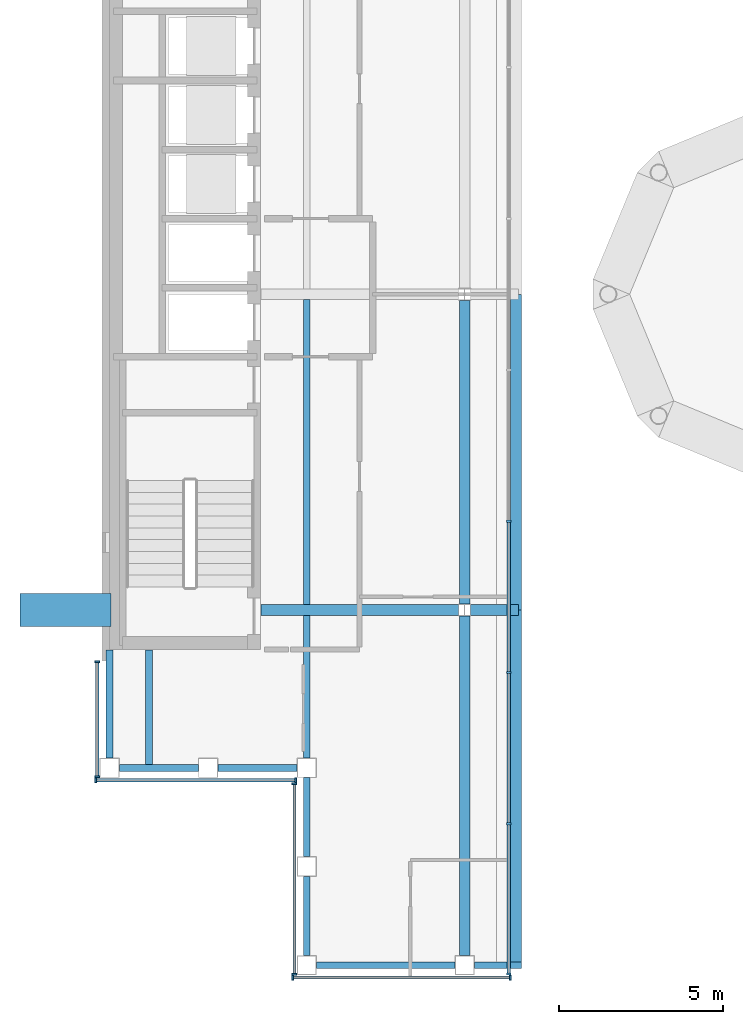
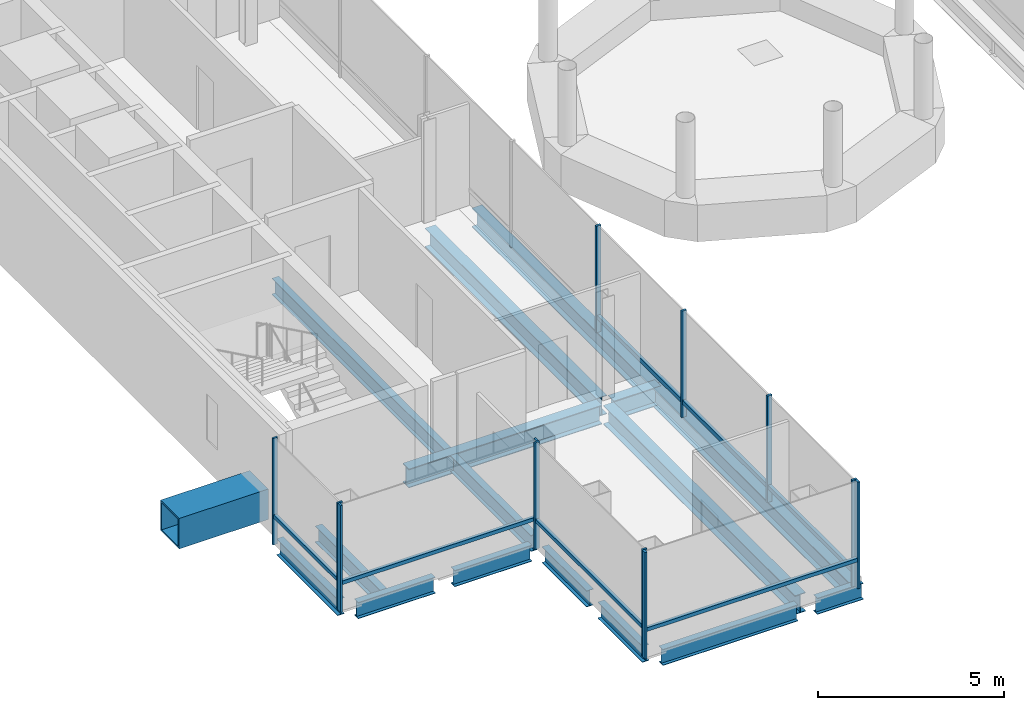
# One storey, part 3 of 16: 19 members, 17 beams, 5 elements without a shape of their own.
"""IFC4 building model written with IfcOpenShell, lengths in metres."""

from ifc_helpers import new_model, si_unit, direction, frame, origin, origin_2d, place, context, subcontext, project, spatial, rectangle, hollow_rectangle, i_section, extrude, material, material_profile, profile_set, type_object, element, aggregate, save


model = new_model("IFC4")

# Units and contexts
model_context = context("Model", 3, precision=1e-05, world=origin(), true_north=direction((0.0, 1.0)))
body_context = subcontext(model_context, "Body", "Model", "MODEL_VIEW")
ifc_project = project(units=[si_unit("LENGTHUNIT", "METRE"), si_unit("AREAUNIT", "SQUARE_METRE"), si_unit("VOLUMEUNIT", "CUBIC_METRE"), si_unit("PLANEANGLEUNIT", "RADIAN"), si_unit("MASSUNIT", "GRAM", prefix="KILO")], contexts=[model_context])

# Site, building, storey
site_placement = place(None, origin())
site = spatial("IfcSite", under=ifc_project, at=site_placement, CompositionType="ELEMENT")
building_placement = place(site_placement, origin())
building = spatial("IfcBuilding", under=site, at=building_placement, Name="Cobrizo Arcos Hotel Tower", CompositionType="ELEMENT")
storey_placement = place(building_placement, frame((0.0, 0.0, 272.5)))
storey = spatial("IfcBuildingStorey", under=building, at=storey_placement, Name="L72", CompositionType="ELEMENT", Elevation=272.5)

# Beam
ifc_material_1 = material(Name="Steel ASTM A572 Grade 50", Category="steel")
ifc_material_profile_1 = material_profile(ifc_material_1, hollow_rectangle(XDim=1.0, YDim=1.0, WallThickness=0.06005859375, at=origin_2d()), Name="BOX 1000X1000X60")
ifc_profile_set_1 = profile_set([ifc_material_profile_1], Name="Steel ASTM A572 Grade 50")
beam_type_1 = type_object("IfcBeamType", Name="BOX 1000X1000X60 brace connector strut", PredefinedType="BEAM", material=ifc_profile_set_1)
beam_1_placement = place(storey_placement, frame((-20.35009765625, -9.60009765625, 0.5), z_axis=(-1.0, 0.0, 0.0), x_axis=(0.0, -1.0, 0.0)))
element("IfcBeam", 1, at=beam_1_placement, inside=storey, type_object=beam_type_1, Name="Perimeter brace stub BS1, zone Z5, west face, offset -9.60 m, L72", PredefinedType="BEAM", context=body_context, shape_type="SweptSolid", body=[
    extrude(hollow_rectangle(XDim=1.0, YDim=1.0, WallThickness=0.06005859375, at=origin_2d()), origin(), (0.0, 0.0, 1.0), 2.77001953125),
])

# Curtain wall, members
ifc_material_2 = material(Name="Aluminium 6063-T6 anodised bronze", Category="aluminium")
curtain_wall_type_1 = type_object("IfcCurtainWallType", Name="CW-A guest facade", PredefinedType="NOTDEFINED", material=ifc_material_2)
curtain_wall_1_placement = place(storey_placement, origin())
curtain_wall_1 = element("IfcCurtainWall", 2, at=curtain_wall_1_placement, inside=storey, type_object=curtain_wall_type_1, Name="CW-A L72 S face", PredefinedType="NOTDEFINED")
ifc_material_profile_2 = material_profile(ifc_material_2, rectangle(XDim=0.14990234375, YDim=0.06005859375, at=origin_2d()), Name="CW-A mullion 150x60")
ifc_profile_set_2 = profile_set([ifc_material_profile_2], Name="Aluminium 6063-T6 anodised bronze")
member_type_1 = type_object("IfcMemberType", Name="CW-A mullion 150x60", PredefinedType="MULLION", material=ifc_profile_set_2)
member_1_placement = place(storey_placement, frame((-14.820068359375, -20.77490234375, 0.0), z_axis=(0.0, 0.0, 1.0), x_axis=(0.0, -1.0, 0.0)))
member_1 = element("IfcMember", 3, at=member_1_placement, type_object=member_type_1, Name="CW-A mullion 1", PredefinedType="MULLION", context=body_context, shape_type="SweptSolid", body=[
    extrude(rectangle(XDim=0.14990234375, YDim=0.06005859375, at=origin_2d()), origin(), (0.0, 0.0, 1.0), 3.5),
])
member_2_placement = place(storey_placement, frame((-8.215087890625, -20.77490234375, 0.0), z_axis=(0.0, 0.0, 1.0), x_axis=(0.0, -1.0, 0.0)))
member_2 = element("IfcMember", 4, at=member_2_placement, type_object=member_type_1, Name="CW-A mullion 2", PredefinedType="MULLION", context=body_context, shape_type="SweptSolid", body=[
    extrude(rectangle(XDim=0.14990234375, YDim=0.06005859375, at=origin_2d()), origin(), (0.0, 0.0, 1.0), 3.5),
])

curtain_wall_2_placement = place(storey_placement, origin())
curtain_wall_2 = element("IfcCurtainWall", 5, at=curtain_wall_2_placement, inside=storey, type_object=curtain_wall_type_1, Name="CW-A L72 W face", PredefinedType="NOTDEFINED")
member_3_placement = place(storey_placement, frame((-20.77490234375, -11.179931640625, 0.0), z_axis=(0.0, 0.0, 1.0), x_axis=(-1.0, 0.0, 0.0)))
member_3 = element("IfcMember", 6, at=member_3_placement, type_object=member_type_1, Name="CW-A mullion 1", PredefinedType="MULLION", context=body_context, shape_type="SweptSolid", body=[
    extrude(rectangle(XDim=0.14990234375, YDim=0.06005859375, at=origin_2d()), origin(), (0.0, 0.0, 1.0), 3.5),
])
member_4_placement = place(storey_placement, frame((-20.77490234375, -14.669921875, 0.0), z_axis=(0.0, 0.0, 1.0), x_axis=(-1.0, 0.0, 0.0)))
member_4 = element("IfcMember", 7, at=member_4_placement, type_object=member_type_1, Name="CW-A mullion 2", PredefinedType="MULLION", context=body_context, shape_type="SweptSolid", body=[
    extrude(rectangle(XDim=0.14990234375, YDim=0.06005859375, at=origin_2d()), origin(), (0.0, 0.0, 1.0), 3.5),
])

curtain_wall_3_placement = place(storey_placement, origin())
curtain_wall_3 = element("IfcCurtainWall", 8, at=curtain_wall_3_placement, inside=storey, type_object=curtain_wall_type_1, Name="CW-A L72 S face", PredefinedType="NOTDEFINED")
member_5_placement = place(storey_placement, frame((-20.820068359375, -14.77490234375, 0.0), z_axis=(0.0, 0.0, 1.0), x_axis=(0.0, -1.0, 0.0)))
member_5 = element("IfcMember", 9, at=member_5_placement, type_object=member_type_1, Name="CW-A mullion 1", PredefinedType="MULLION", context=body_context, shape_type="SweptSolid", body=[
    extrude(rectangle(XDim=0.14990234375, YDim=0.06005859375, at=origin_2d()), origin(), (0.0, 0.0, 1.0), 3.5),
])
member_6_placement = place(storey_placement, frame((-14.72998046875, -14.77490234375, 0.0), z_axis=(0.0, 0.0, 1.0), x_axis=(0.0, -1.0, 0.0)))
member_6 = element("IfcMember", 10, at=member_6_placement, type_object=member_type_1, Name="CW-A mullion 2", PredefinedType="MULLION", context=body_context, shape_type="SweptSolid", body=[
    extrude(rectangle(XDim=0.14990234375, YDim=0.06005859375, at=origin_2d()), origin(), (0.0, 0.0, 1.0), 3.5),
])

curtain_wall_4_placement = place(storey_placement, origin())
curtain_wall_4 = element("IfcCurtainWall", 11, at=curtain_wall_4_placement, inside=storey, type_object=curtain_wall_type_1, Name="CW-A L72 W face", PredefinedType="NOTDEFINED")
member_7_placement = place(storey_placement, frame((-14.77490234375, -14.8798828125, 0.0), z_axis=(0.0, 0.0, 1.0), x_axis=(-1.0, 0.0, 0.0)))
member_7 = element("IfcMember", 12, at=member_7_placement, type_object=member_type_1, Name="CW-A mullion 1", PredefinedType="MULLION", context=body_context, shape_type="SweptSolid", body=[
    extrude(rectangle(XDim=0.14990234375, YDim=0.06005859375, at=origin_2d()), origin(), (0.0, 0.0, 1.0), 3.5),
])
member_8_placement = place(storey_placement, frame((-14.77490234375, -20.669921875, 0.0), z_axis=(0.0, 0.0, 1.0), x_axis=(-1.0, 0.0, 0.0)))
member_8 = element("IfcMember", 13, at=member_8_placement, type_object=member_type_1, Name="CW-A mullion 2", PredefinedType="MULLION", context=body_context, shape_type="SweptSolid", body=[
    extrude(rectangle(XDim=0.14990234375, YDim=0.06005859375, at=origin_2d()), origin(), (0.0, 0.0, 1.0), 3.5),
])

# Member
ifc_material_profile_3 = material_profile(ifc_material_2, rectangle(XDim=0.10009765625, YDim=0.1201171875, at=origin_2d()), Name="CW-A transom 120x100")
ifc_profile_set_3 = profile_set([ifc_material_profile_3], Name="Aluminium 6063-T6 anodised bronze")
member_type_2 = type_object("IfcMemberType", Name="CW-A transom 120x100", PredefinedType="USERDEFINED", material=ifc_profile_set_3)
member_9_placement = place(storey_placement, frame((-14.7900390625, -20.77490234375, 0.929931640625), z_axis=(1.0, 0.0, 0.0), x_axis=(0.0, 1.0, 0.0)))
member_9 = element("IfcMember", 14, at=member_9_placement, type_object=member_type_2, Name="CW-A transom 2273", ObjectType="TRANSOM", PredefinedType="USERDEFINED", context=body_context, shape_type="SweptSolid", body=[
    extrude(rectangle(XDim=0.10009765625, YDim=0.1201171875, at=origin_2d()), origin(), (0.0, 0.0, 1.0), 6.545166015625),
])

aggregate(curtain_wall_1, [member_1, member_2, member_9])

member_10_placement = place(storey_placement, frame((-20.77490234375, -11.2099609375, 0.929931640625), z_axis=(0.0, -1.0, 0.0), x_axis=(1.0, 0.0, 0.0)))
member_10 = element("IfcMember", 15, at=member_10_placement, type_object=member_type_2, Name="CW-A transom 2287", ObjectType="TRANSOM", PredefinedType="USERDEFINED", context=body_context, shape_type="SweptSolid", body=[
    extrude(rectangle(XDim=0.10009765625, YDim=0.1201171875, at=origin_2d()), origin(), (0.0, 0.0, 1.0), 3.429931640625),
])

aggregate(curtain_wall_2, [member_3, member_4, member_10])

member_11_placement = place(storey_placement, frame((-20.7900390625, -14.77490234375, 0.929931640625), z_axis=(1.0, 0.0, 0.0), x_axis=(0.0, 1.0, 0.0)))
member_11 = element("IfcMember", 16, at=member_11_placement, type_object=member_type_2, Name="CW-A transom 2288", ObjectType="TRANSOM", PredefinedType="USERDEFINED", context=body_context, shape_type="SweptSolid", body=[
    extrude(rectangle(XDim=0.10009765625, YDim=0.1201171875, at=origin_2d()), origin(), (0.0, 0.0, 1.0), 6.030029296875),
])

aggregate(curtain_wall_3, [member_5, member_6, member_11])

member_12_placement = place(storey_placement, frame((-14.77490234375, -14.909912109375, 0.929931640625), z_axis=(0.0, -1.0, 0.0), x_axis=(1.0, 0.0, 0.0)))
member_12 = element("IfcMember", 17, at=member_12_placement, type_object=member_type_2, Name="CW-A transom 2289", ObjectType="TRANSOM", PredefinedType="USERDEFINED", context=body_context, shape_type="SweptSolid", body=[
    extrude(rectangle(XDim=0.10009765625, YDim=0.1201171875, at=origin_2d()), origin(), (0.0, 0.0, 1.0), 5.72998046875),
])

aggregate(curtain_wall_4, [member_7, member_8, member_12])

# Curtain wall, members
curtain_wall_type_2 = type_object("IfcCurtainWallType", Name="CW-C arch infill and crown glazing", PredefinedType="NOTDEFINED", material=ifc_material_2)
curtain_wall_5_placement = place(storey_placement, origin())
curtain_wall_5 = element("IfcCurtainWall", 18, at=curtain_wall_5_placement, inside=storey, type_object=curtain_wall_type_2, Name="CW-C L72 E face", PredefinedType="NOTDEFINED")
ifc_material_profile_4 = material_profile(ifc_material_2, rectangle(XDim=0.14990234375, YDim=0.070068359375, at=origin_2d()), Name="CW-C mullion 150x70")
ifc_profile_set_4 = profile_set([ifc_material_profile_4], Name="Aluminium 6063-T6 anodised bronze")
member_type_3 = type_object("IfcMemberType", Name="CW-C mullion 150x70", PredefinedType="MULLION", material=ifc_profile_set_4)
member_13_placement = place(storey_placement, frame((-8.260009765625, -20.6650390625, 0.0), z_axis=(0.0, 0.0, 1.0), x_axis=(1.0, 0.0, 0.0)))
member_13 = element("IfcMember", 19, at=member_13_placement, type_object=member_type_3, Name="CW-C mullion 1", PredefinedType="MULLION", context=body_context, shape_type="SweptSolid", body=[
    extrude(rectangle(XDim=0.14990234375, YDim=0.070068359375, at=origin_2d()), origin(), (0.0, 0.0, 1.0), 3.5),
])
member_14_placement = place(storey_placement, frame((-8.260009765625, -16.10009765625, 0.0), z_axis=(0.0, 0.0, 1.0), x_axis=(1.0, 0.0, 0.0)))
member_14 = element("IfcMember", 20, at=member_14_placement, type_object=member_type_3, Name="CW-C mullion 2", PredefinedType="MULLION", context=body_context, shape_type="SweptSolid", body=[
    extrude(rectangle(XDim=0.14990234375, YDim=0.070068359375, at=origin_2d()), origin(), (0.0, 0.0, 1.0), 3.5),
])
member_15_placement = place(storey_placement, frame((-8.260009765625, -11.5, 0.0), z_axis=(0.0, 0.0, 1.0), x_axis=(1.0, 0.0, 0.0)))
member_15 = element("IfcMember", 21, at=member_15_placement, type_object=member_type_3, Name="CW-C mullion 3", PredefinedType="MULLION", context=body_context, shape_type="SweptSolid", body=[
    extrude(rectangle(XDim=0.14990234375, YDim=0.070068359375, at=origin_2d()), origin(), (0.0, 0.0, 1.0), 3.5),
])
member_16_placement = place(storey_placement, frame((-8.260009765625, -6.89990234375, 0.0), z_axis=(0.0, 0.0, 1.0), x_axis=(1.0, 0.0, 0.0)))
member_16 = element("IfcMember", 22, at=member_16_placement, type_object=member_type_3, Name="CW-C mullion 4", PredefinedType="MULLION", context=body_context, shape_type="SweptSolid", body=[
    extrude(rectangle(XDim=0.14990234375, YDim=0.070068359375, at=origin_2d()), origin(), (0.0, 0.0, 1.0), 3.5),
])
ifc_material_profile_5 = material_profile(ifc_material_2, rectangle(XDim=0.10009765625, YDim=0.139892578125, at=origin_2d()), Name="CW-C transom 140x100")
ifc_profile_set_5 = profile_set([ifc_material_profile_5], Name="Aluminium 6063-T6 anodised bronze")
member_type_4 = type_object("IfcMemberType", Name="CW-C transom 140x100", PredefinedType="USERDEFINED", material=ifc_profile_set_5)
member_17_placement = place(storey_placement, frame((-8.260009765625, -20.6298828125, 0.5), z_axis=(0.0, 1.0, 0.0), x_axis=(-1.0, 0.0, 0.0)))
member_17 = element("IfcMember", 23, at=member_17_placement, type_object=member_type_4, Name="CW-C transom 2274", ObjectType="TRANSOM", PredefinedType="USERDEFINED", context=body_context, shape_type="SweptSolid", body=[
    extrude(rectangle(XDim=0.10009765625, YDim=0.139892578125, at=origin_2d()), origin(), (0.0, 0.0, 1.0), 4.494873046875),
])
member_18_placement = place(storey_placement, frame((-8.260009765625, -16.06494140625, 0.5), z_axis=(0.0, 1.0, 0.0), x_axis=(-1.0, 0.0, 0.0)))
member_18 = element("IfcMember", 24, at=member_18_placement, type_object=member_type_4, Name="CW-C transom 2275", ObjectType="TRANSOM", PredefinedType="USERDEFINED", context=body_context, shape_type="SweptSolid", body=[
    extrude(rectangle(XDim=0.10009765625, YDim=0.139892578125, at=origin_2d()), origin(), (0.0, 0.0, 1.0), 4.530029296875),
])
member_19_placement = place(storey_placement, frame((-8.260009765625, -11.465087890625, 0.5), z_axis=(0.0, 1.0, 0.0), x_axis=(-1.0, 0.0, 0.0)))
member_19 = element("IfcMember", 25, at=member_19_placement, type_object=member_type_4, Name="CW-C transom 2276", ObjectType="TRANSOM", PredefinedType="USERDEFINED", context=body_context, shape_type="SweptSolid", body=[
    extrude(rectangle(XDim=0.10009765625, YDim=0.139892578125, at=origin_2d()), origin(), (0.0, 0.0, 1.0), 4.530029296875),
])
aggregate(curtain_wall_5, [member_13, member_14, member_15, member_16, member_17, member_18, member_19])

# Beams
ifc_material_3 = material(Name="Steel ASTM A992 Grade 50", Category="steel")
ifc_material_profile_6 = material_profile(ifc_material_3, i_section(OverallWidth=0.209228515625, OverallDepth=0.533447265625, WebThickness=0.01025390625, FlangeThickness=0.015625, at=origin_2d()), Name="W21X62")
ifc_profile_set_6 = profile_set([ifc_material_profile_6], Name="Steel ASTM A992 Grade 50")
beam_type_2 = type_object("IfcBeamType", Name="W21X62 joist", PredefinedType="JOIST", material=ifc_profile_set_6)
beam_2_placement = place(storey_placement, frame((-19.199951171875, -14.31005859375, -0.416748046875), z_axis=(0.0, 1.0, 0.0), x_axis=(-1.0, 0.0, 0.0)))
element("IfcBeam", 26, at=beam_2_placement, inside=storey, type_object=beam_type_2, Name="Floor joist J1, L72, no. 001", PredefinedType="JOIST", context=body_context, shape_type="SweptSolid", body=[
    extrude(i_section(OverallWidth=0.209228515625, OverallDepth=0.533447265625, WebThickness=0.01025390625, FlangeThickness=0.015625, at=origin_2d()), origin(), (0.0, 0.0, 1.0), 3.5),
])
beam_3_placement = place(storey_placement, frame((-14.39990234375, -14.10009765625, -0.416748046875), z_axis=(0.0, 1.0, 0.0), x_axis=(-1.0, 0.0, 0.0)))
element("IfcBeam", 27, at=beam_3_placement, inside=storey, type_object=beam_type_2, Name="Floor joist J1, L72, no. 003", PredefinedType="JOIST", context=body_context, shape_type="SweptSolid", body=[
    extrude(i_section(OverallWidth=0.209228515625, OverallDepth=0.533447265625, WebThickness=0.01025390625, FlangeThickness=0.015625, at=origin_2d()), origin(), (0.0, 0.0, 1.0), 4.336181640625),
])
beam_4_placement = place(storey_placement, frame((-14.39990234375, -9.43603515625, -0.416748046875), z_axis=(0.0, 1.0, 0.0), x_axis=(-1.0, 0.0, 0.0)))
element("IfcBeam", 28, at=beam_4_placement, inside=storey, type_object=beam_type_2, Name="Floor joist J1, L72, no. 004", PredefinedType="JOIST", context=body_context, shape_type="SweptSolid", body=[
    extrude(i_section(OverallWidth=0.209228515625, OverallDepth=0.533447265625, WebThickness=0.01025390625, FlangeThickness=0.015625, at=origin_2d()), origin(), (0.0, 0.0, 1.0), 9.272216796875),
])
ifc_material_profile_7 = material_profile(ifc_material_3, i_section(OverallWidth=0.209228515625, OverallDepth=0.533447265625, WebThickness=0.01025390625, FlangeThickness=0.015625, at=origin_2d()), Name="W21X62")
ifc_profile_set_7 = profile_set([ifc_material_profile_7], Name="Steel ASTM A992 Grade 50")
beam_type_3 = type_object("IfcBeamType", Name="W21X62 spandrel", PredefinedType="SPANDREL", material=ifc_profile_set_7)
beam_5_placement = place(storey_placement, frame((-20.39990234375, -14.10009765625, -0.416748046875), z_axis=(0.0, 1.0, 0.0), x_axis=(-1.0, 0.0, 0.0)))
element("IfcBeam", 29, at=beam_5_placement, inside=storey, type_object=beam_type_3, Name="Spandrel beam W21X62, L72, no. 001", PredefinedType="SPANDREL", context=body_context, shape_type="SweptSolid", body=[
    extrude(i_section(OverallWidth=0.209228515625, OverallDepth=0.533447265625, WebThickness=0.01025390625, FlangeThickness=0.015625, at=origin_2d()), origin(), (0.0, 0.0, 1.0), 3.2900390625),
])
beam_6_placement = place(storey_placement, frame((-7.8720703125, -20.39990234375, -0.416748046875), z_axis=(-1.0, 0.0, 0.0), x_axis=(0.0, -1.0, 0.0)))
element("IfcBeam", 30, at=beam_6_placement, inside=storey, type_object=beam_type_3, Name="Spandrel beam W21X62, L72, no. 009", PredefinedType="SPANDREL", context=body_context, shape_type="SweptSolid", body=[
    extrude(i_section(OverallWidth=0.209228515625, OverallDepth=0.533447265625, WebThickness=0.01025390625, FlangeThickness=0.015625, at=origin_2d()), origin(), (0.0, 0.0, 1.0), 1.427978515625),
])
beam_7_placement = place(storey_placement, frame((-9.89990234375, -20.39990234375, -0.416748046875), z_axis=(-1.0, 0.0, 0.0), x_axis=(0.0, -1.0, 0.0)))
element("IfcBeam", 31, at=beam_7_placement, inside=storey, type_object=beam_type_3, Name="Spandrel beam W21X62, L72, no. 010", PredefinedType="SPANDREL", context=body_context, shape_type="SweptSolid", body=[
    extrude(i_section(OverallWidth=0.209228515625, OverallDepth=0.533447265625, WebThickness=0.01025390625, FlangeThickness=0.015625, at=origin_2d()), origin(), (0.0, 0.0, 1.0), 4.2001953125),
])
for number, where, z_axis, x_axis, name in (
    (32, (-14.39990234375, -20.10009765625, -0.416748046875), (0.0, 1.0, 0.0), (-1.0, 0.0, 0.0), "Spandrel beam W21X62, L72, no. 011"),
    (33, (-14.39990234375, -17.10009765625, -0.416748046875), (0.0, 1.0, 0.0), (-1.0, 0.0, 0.0), "Spandrel beam W21X62, L72, no. 012"),
    (34, (-14.699951171875, -14.39990234375, -0.416748046875), (-1.0, 0.0, 0.0), (0.0, -1.0, 0.0), "Spandrel beam W21X62, L72, no. 013"),
    (35, (-17.699951171875, -14.39990234375, -0.416748046875), (-1.0, 0.0, 0.0), (0.0, -1.0, 0.0), "Spandrel beam W21X62, L72, no. 014"),
):
    element("IfcBeam", number, at=place(storey_placement, frame(where, z_axis=z_axis, x_axis=x_axis)), inside=storey, type_object=beam_type_3, Name=name, PredefinedType="SPANDREL", context=body_context, shape_type="SweptSolid", body=[
        extrude(i_section(OverallWidth=0.209228515625, OverallDepth=0.533447265625, WebThickness=0.01025390625, FlangeThickness=0.015625, at=origin_2d()), origin(), (0.0, 0.0, 1.0), 2.400146484375),
    ])
ifc_material_profile_8 = material_profile(ifc_material_3, i_section(OverallWidth=0.32763671875, OverallDepth=0.622314453125, WebThickness=0.015380859375, FlangeThickness=0.0244140625, at=origin_2d()), Name="W24X131")
ifc_profile_set_8 = profile_set([ifc_material_profile_8], Name="Steel ASTM A992 Grade 50")
beam_type_4 = type_object("IfcBeamType", Name="W24X131 edge beam", PredefinedType="BEAM", material=ifc_profile_set_8)
beam_8_placement = place(storey_placement, frame((-8.035888671875, 0.0, -0.461181640625), z_axis=(0.0, -1.0, 0.0), x_axis=(1.0, 0.0, 0.0)))
element("IfcBeam", 36, at=beam_8_placement, inside=storey, type_object=beam_type_4, Name="Edge beam EB1, L72, no. 003", PredefinedType="BEAM", context=body_context, shape_type="SweptSolid", body=[
    extrude(i_section(OverallWidth=0.32763671875, OverallDepth=0.622314453125, WebThickness=0.015380859375, FlangeThickness=0.0244140625, at=origin_2d()), origin(), (0.0, 0.0, 1.0), 9.60009765625),
])
beam_9_placement = place(storey_placement, frame((-8.035888671875, -9.60009765625, -0.461181640625), z_axis=(0.0, -1.0, 0.0), x_axis=(1.0, 0.0, 0.0)))
element("IfcBeam", 37, at=beam_9_placement, inside=storey, type_object=beam_type_4, Name="Edge beam EB1, L72, no. 004", PredefinedType="BEAM", context=body_context, shape_type="SweptSolid", body=[
    extrude(i_section(OverallWidth=0.32763671875, OverallDepth=0.622314453125, WebThickness=0.015380859375, FlangeThickness=0.0244140625, at=origin_2d()), origin(), (0.0, 0.0, 1.0), 10.7998046875),
])
ifc_material_profile_9 = material_profile(ifc_material_3, i_section(OverallWidth=0.32763671875, OverallDepth=0.622314453125, WebThickness=0.015380859375, FlangeThickness=0.0244140625, at=origin_2d()), Name="W24X131")
ifc_profile_set_9 = profile_set([ifc_material_profile_9], Name="Steel ASTM A992 Grade 50")
beam_type_5 = type_object("IfcBeamType", Name="W24X131 girder", PredefinedType="BEAM", material=ifc_profile_set_9)
beam_10_placement = place(storey_placement, frame((-15.7900390625, -9.60009765625, -0.461181640625), z_axis=(1.0, 0.0, 0.0), x_axis=(0.0, 1.0, 0.0)))
element("IfcBeam", 38, at=beam_10_placement, inside=storey, type_object=beam_type_5, Name="Floor girder G1, L72, no. 001", PredefinedType="BEAM", context=body_context, shape_type="SweptSolid", body=[
    extrude(i_section(OverallWidth=0.32763671875, OverallDepth=0.622314453125, WebThickness=0.015380859375, FlangeThickness=0.0244140625, at=origin_2d()), origin(), (0.0, 0.0, 1.0), 6.005859375),
])
beam_11_placement = place(storey_placement, frame((-9.415771484375, -9.60009765625, -0.461181640625), z_axis=(1.0, 0.0, 0.0), x_axis=(0.0, 1.0, 0.0)))
element("IfcBeam", 39, at=beam_11_placement, inside=storey, type_object=beam_type_5, Name="Floor girder G1, L72, no. 002", PredefinedType="BEAM", context=body_context, shape_type="SweptSolid", body=[
    extrude(i_section(OverallWidth=0.32763671875, OverallDepth=0.622314453125, WebThickness=0.015380859375, FlangeThickness=0.0244140625, at=origin_2d()), origin(), (0.0, 0.0, 1.0), 1.45361328125),
])
beam_12_placement = place(storey_placement, frame((-9.60009765625, -20.10009765625, -0.461181640625), z_axis=(0.0, 1.0, 0.0), x_axis=(-1.0, 0.0, 0.0)))
element("IfcBeam", 40, at=beam_12_placement, inside=storey, type_object=beam_type_5, Name="Floor girder G1, L72, no. 013", PredefinedType="BEAM", context=body_context, shape_type="SweptSolid", body=[
    extrude(i_section(OverallWidth=0.32763671875, OverallDepth=0.622314453125, WebThickness=0.015380859375, FlangeThickness=0.0244140625, at=origin_2d()), origin(), (0.0, 0.0, 1.0), 10.31591796875),
])
beam_13_placement = place(storey_placement, frame((-9.60009765625, -9.415771484375, -0.461181640625), z_axis=(0.0, 1.0, 0.0), x_axis=(-1.0, 0.0, 0.0)))
element("IfcBeam", 41, at=beam_13_placement, inside=storey, type_object=beam_type_5, Name="Floor girder G1, L72, no. 014", PredefinedType="BEAM", context=body_context, shape_type="SweptSolid", body=[
    extrude(i_section(OverallWidth=0.32763671875, OverallDepth=0.622314453125, WebThickness=0.015380859375, FlangeThickness=0.0244140625, at=origin_2d()), origin(), (0.0, 0.0, 1.0), 9.231689453125),
])

save(model, "model.ifc")
